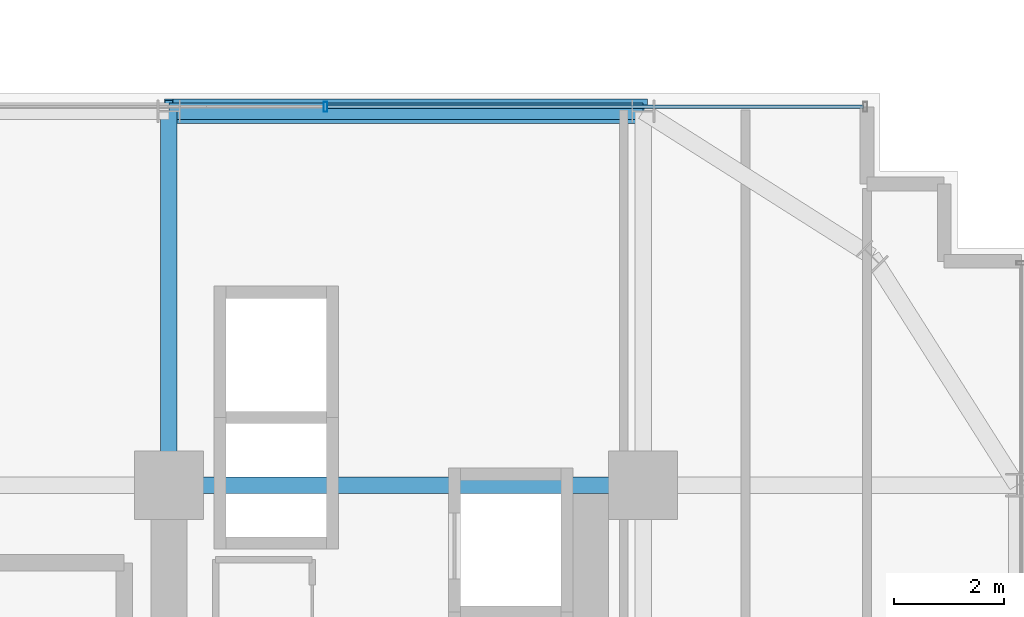
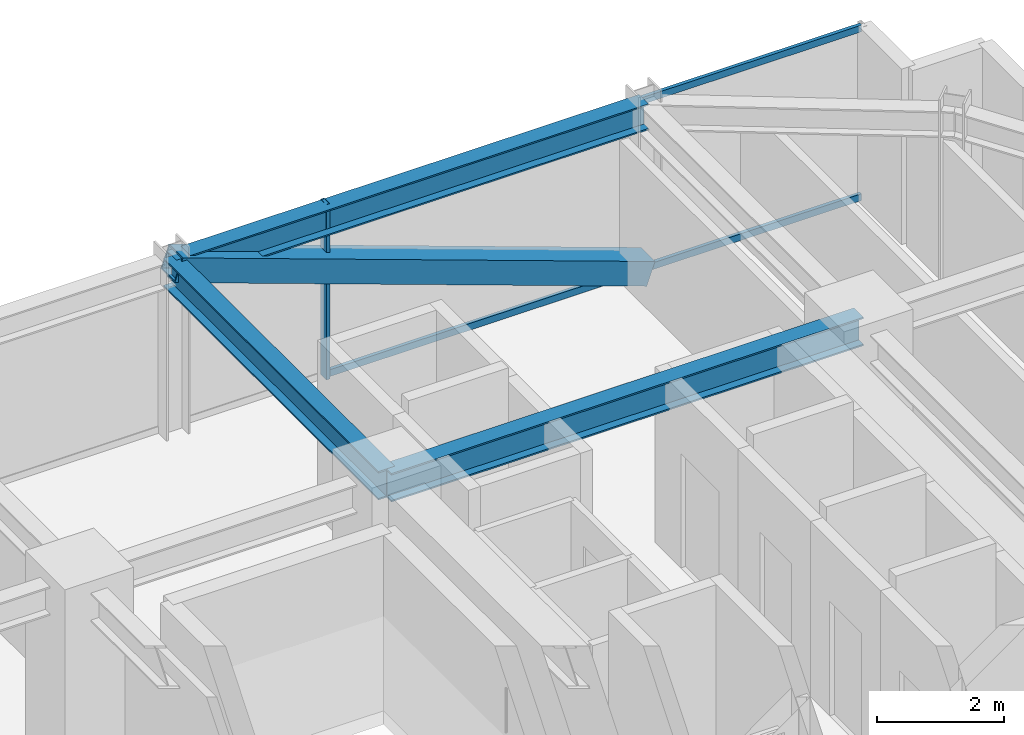
# One storey, part 24 of 34: 4 members, 3 beams, 1 element without a shape of its own.
"""IFC4 building model written with IfcOpenShell, lengths in metres."""

from ifc_helpers import new_model, si_unit, direction, frame, origin, origin_2d, place, context, subcontext, project, spatial, hollow_rectangle, i_section, extrude, source, transform, mapped, material, material_profile, profile_set, type_object, element, aggregate, save


model = new_model("IFC4")

# Units and contexts
model_context = context("Model", 3, precision=1e-05, world=origin(), true_north=direction((0.0, 1.0)))
body_context = subcontext(model_context, "Body", "Model", "MODEL_VIEW")
ifc_project = project(units=[si_unit("LENGTHUNIT", "METRE"), si_unit("AREAUNIT", "SQUARE_METRE"), si_unit("VOLUMEUNIT", "CUBIC_METRE"), si_unit("PLANEANGLEUNIT", "RADIAN"), si_unit("MASSUNIT", "GRAM", prefix="KILO")], contexts=[model_context])

# Site, building, storey
site_placement = place(None, origin())
site = spatial("IfcSite", under=ifc_project, at=site_placement, CompositionType="ELEMENT")
building_placement = place(site_placement, origin())
building = spatial("IfcBuilding", under=site, at=building_placement, Name="Nahalor Promenade Grand Hotel", CompositionType="ELEMENT")
storey_placement = place(building_placement, frame((0.0, 0.0, 128.449951171875)))
storey = spatial("IfcBuildingStorey", under=building, at=storey_placement, Name="L32", CompositionType="ELEMENT", Elevation=128.449951171875)

# Beams
ifc_material_1 = material(Name="Steel S355JR", Category="steel")
ifc_material_profile_1 = material_profile(ifc_material_1, i_section(OverallWidth=0.3, OverallDepth=0.5, WebThickness=0.0145, FlangeThickness=0.028, at=origin_2d()), Name="HEB 500")
ifc_profile_set_1 = profile_set([ifc_material_profile_1], Name="Steel S355JR")
beam_type_1 = type_object("IfcBeamType", Name="Beam-Spandrel-HEB500", PredefinedType="SPANDREL", material=ifc_profile_set_1)
shared_shape_1 = source(origin(), body_context, "Body", "SweptSolid", [
    extrude(i_section(OverallWidth=0.3, OverallDepth=0.5, WebThickness=0.0145, FlangeThickness=0.028, at=origin_2d()), origin(), (0.0, 0.0, 1.0), 8.60009765625),
])
beam_1_placement = place(storey_placement, frame((8.39990234375, 23.780029296875, 3.130126953125), z_axis=(1.0, 0.0, 0.0), x_axis=(0.0, 1.0, 0.0)))
element("IfcBeam", 1, at=beam_1_placement, inside=storey, type_object=beam_type_1, Name="BM-L32-SP-N-4", PredefinedType="SPANDREL", context=body_context, shape_type="MappedRepresentation", body=[
    mapped(shared_shape_1, transform((0.0, 0.0, 0.0), scale=1.0)),
])
ifc_material_profile_2 = material_profile(ifc_material_1, i_section(OverallWidth=0.3, OverallDepth=0.55, WebThickness=0.015, FlangeThickness=0.029, at=origin_2d()), Name="HEB 550")
ifc_profile_set_2 = profile_set([ifc_material_profile_2], Name="Steel S355JR")
beam_type_2 = type_object("IfcBeamType", Name="Beam-Girder-HEB550", PredefinedType="BEAM", material=ifc_profile_set_2)
shared_shape_2 = source(origin(), body_context, "Body", "SweptSolid", [
    extrude(i_section(OverallWidth=0.3, OverallDepth=0.55, WebThickness=0.015, FlangeThickness=0.029, at=origin_2d()), origin(), (0.0, 0.0, 1.0), 6.780029296875),
])
beam_2_placement = place(storey_placement, frame((8.39990234375, 17.0, 3.10498046875), z_axis=(0.0, 1.0, 0.0), x_axis=(-1.0, 0.0, 0.0)))
element("IfcBeam", 2, at=beam_2_placement, inside=storey, type_object=beam_type_2, Name="BM-L32-GY-4-4", PredefinedType="BEAM", context=body_context, shape_type="MappedRepresentation", body=[
    mapped(shared_shape_2, transform((0.0, 0.0, 0.0), scale=1.0)),
])
shared_shape_3 = source(origin(), body_context, "Body", "SweptSolid", [
    extrude(i_section(OverallWidth=0.3, OverallDepth=0.55, WebThickness=0.015, FlangeThickness=0.029, at=origin_2d()), origin(), (0.0, 0.0, 1.0), 8.60009765625),
])
beam_3_placement = place(storey_placement, frame((8.39990234375, 17.0, 3.10498046875), z_axis=(1.0, 0.0, 0.0), x_axis=(0.0, 1.0, 0.0)))
element("IfcBeam", 3, at=beam_3_placement, inside=storey, type_object=beam_type_2, Name="BM-L32-GX-3-5", PredefinedType="BEAM", context=body_context, shape_type="MappedRepresentation", body=[
    mapped(shared_shape_3, transform((0.0, 0.0, 0.0), scale=1.0)),
])

# Member
ifc_material_2 = material(Name="Steel S355J2", Category="steel")
ifc_material_profile_3 = material_profile(ifc_material_2, hollow_rectangle(XDim=0.45, YDim=0.45, WallThickness=0.025, at=origin_2d()), Name="SHS 450x450x25")
ifc_profile_set_3 = profile_set([ifc_material_profile_3], Name="Steel S355J2")
member_type_1 = type_object("IfcMemberType", Name="Mem-ExoBrace-SHS450", PredefinedType="BRACE", material=ifc_profile_set_3)
shared_shape_4 = source(origin(), body_context, "Body", "SweptSolid", [
    extrude(hollow_rectangle(XDim=0.45, YDim=0.45, WallThickness=0.025, at=origin_2d()), origin(), (0.0, 0.0, 1.0), 9.135009765625),
])
member_1_placement = place(storey_placement, frame((17.0, 23.780029296875, 0.150146484375), z_axis=(-0.941451323466, 0.0, 0.337148936738), x_axis=(0.0, -1.0, 0.0)))
element("IfcMember", 4, at=member_1_placement, inside=storey, type_object=member_type_1, Name="EXO-L32-N-1", PredefinedType="BRACE", context=body_context, shape_type="MappedRepresentation", body=[
    mapped(shared_shape_4, transform((0.0, 0.0, 0.0), scale=1.0)),
])

# Curtain wall, members
ifc_material_3 = material(Name="Anodised Bronze Aluminium EN AW-6063 T6", Category="aluminium")
curtain_wall_type = type_object("IfcCurtainWallType", Name="CW2 Typical Hotel Flush Bronze Unitised Curtain Wall", PredefinedType="USERDEFINED", material=ifc_material_3)
curtain_wall_placement = place(storey_placement, origin())
curtain_wall = element("IfcCurtainWall", 5, at=curtain_wall_placement, inside=storey, type_object=curtain_wall_type, Name="L32 Curtain Wall CW-L32-N-3", ObjectType="UNITISED_CURTAIN_WALL", PredefinedType="USERDEFINED")
ifc_material_profile_4 = material_profile(ifc_material_3, hollow_rectangle(XDim=0.065, YDim=0.13, WallThickness=0.004, at=origin_2d()), Name="CWT 65x130x4")
ifc_profile_set_4 = profile_set([ifc_material_profile_4], Name="Anodised Bronze Aluminium EN AW-6063 T6")
member_type_2 = type_object("IfcMemberType", Name="CWT2 Typical Bronze Transom 65x130", PredefinedType="USERDEFINED", material=ifc_profile_set_4)
shared_shape_5 = source(origin(), body_context, "Body", "SweptSolid", [
    extrude(hollow_rectangle(XDim=0.065, YDim=0.13, WallThickness=0.004, at=origin_2d()), origin(), (0.0, 0.0, 1.0), 9.72265625),
])
member_2_placement = place(storey_placement, frame((11.2724609375, 23.860107421875, 0.06494140625), z_axis=(1.0, 0.0, 0.0), x_axis=(0.0, 1.0, 0.0)))
member_2 = element("IfcMember", 6, at=member_2_placement, type_object=member_type_2, Name="CW-L32-N-3 Transom 2-0", ObjectType="TRANSOM", PredefinedType="USERDEFINED", context=body_context, shape_type="MappedRepresentation", body=[
    mapped(shared_shape_5, transform((0.0, 0.0, 0.0), scale=1.0)),
])
member_3_placement = place(storey_placement, frame((11.2724609375, 23.860107421875, 3.31494140625), z_axis=(1.0, 0.0, 0.0), x_axis=(0.0, 1.0, 0.0)))
member_3 = element("IfcMember", 7, at=member_3_placement, type_object=member_type_2, Name="CW-L32-N-3 Transom 2-1", ObjectType="TRANSOM", PredefinedType="USERDEFINED", context=body_context, shape_type="MappedRepresentation", body=[
    mapped(shared_shape_5, transform((0.0, 0.0, 0.0), scale=1.0)),
])
ifc_material_profile_5 = material_profile(ifc_material_3, hollow_rectangle(XDim=0.065, YDim=0.18, WallThickness=0.004, at=origin_2d()), Name="CWM 65x180x4")
ifc_profile_set_5 = profile_set([ifc_material_profile_5], Name="Anodised Bronze Aluminium EN AW-6063 T6")
member_type_3 = type_object("IfcMemberType", Name="CWM2 Typical Bronze Mullion 65x180", PredefinedType="MULLION", material=ifc_profile_set_5)
shared_shape_6 = source(origin(), body_context, "Body", "SweptSolid", [
    extrude(hollow_rectangle(XDim=0.065, YDim=0.18, WallThickness=0.004, at=origin_2d()), origin(), (0.0, 0.0, 1.0), 3.380126953125),
])
member_4_placement = place(storey_placement, frame((11.239990234375, 23.860107421875, 0.0), z_axis=(0.0, 0.0, 1.0), x_axis=(1.0, 0.0, 0.0)))
member_4 = element("IfcMember", 8, at=member_4_placement, type_object=member_type_3, Name="CW-L32-N-3 Mullion 2", PredefinedType="MULLION", context=body_context, shape_type="MappedRepresentation", body=[
    mapped(shared_shape_6, transform((0.0, 0.0, 0.0), scale=1.0)),
])
aggregate(curtain_wall, [member_4, member_2, member_3])

save(model, "model.ifc")
